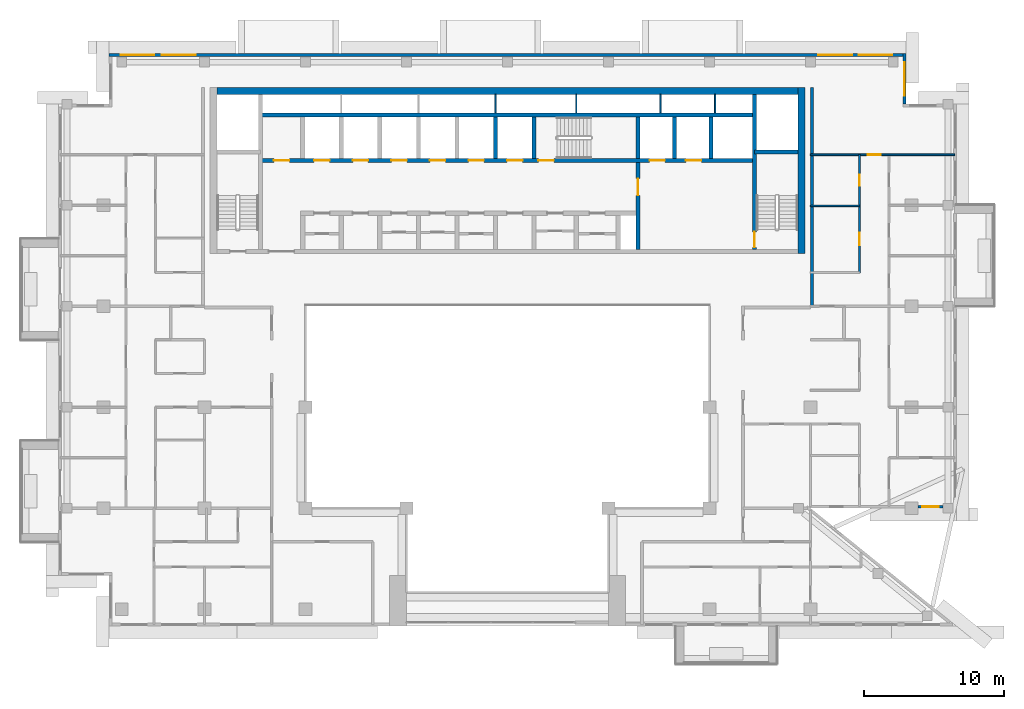
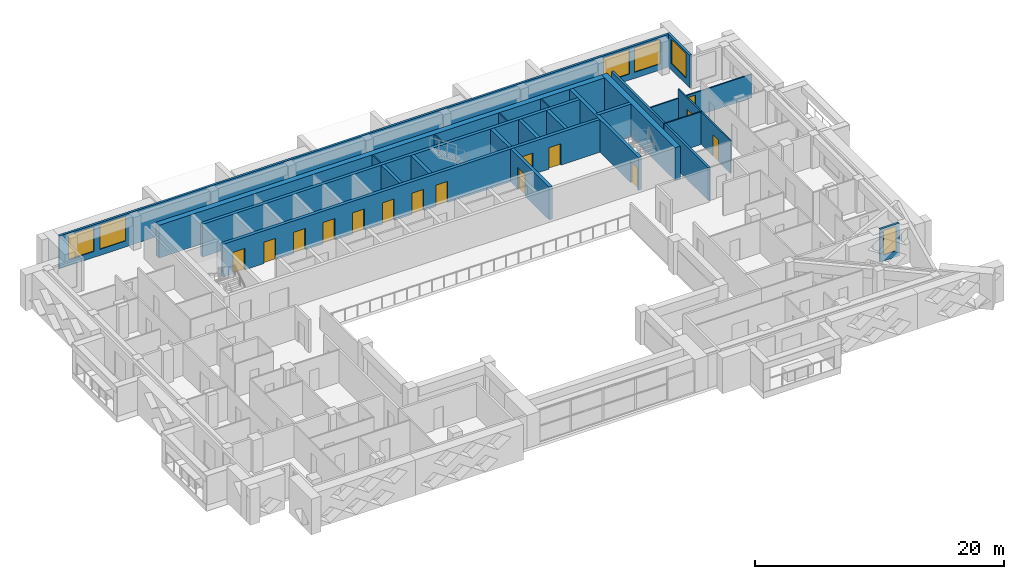
# One storey, part 11 of 19: 23 walls, 15 doors, 6 windows, 21 openings.
"""IFC4 building model written with IfcOpenShell, lengths in metres."""

from ifc_helpers import new_model, si_unit, direction, frame, frame_2d, origin, place, context, subcontext, project, spatial, rectangle, extrude, material, layer, layer_set, type_object, element, fill, save


model = new_model("IFC4")

# Units and contexts
model_context = context("Model", 3, precision=1e-05, world=origin(), true_north=direction((0.0, 1.0)))
body_context = subcontext(model_context, "Body", "Model", "MODEL_VIEW")
ifc_project = project(units=[si_unit("LENGTHUNIT", "METRE"), si_unit("AREAUNIT", "SQUARE_METRE"), si_unit("VOLUMEUNIT", "CUBIC_METRE"), si_unit("PLANEANGLEUNIT", "RADIAN"), si_unit("MASSUNIT", "GRAM", prefix="KILO")], contexts=[model_context])

# Site, building, storey
site_placement = place(None, origin())
site = spatial("IfcSite", under=ifc_project, at=site_placement, CompositionType="ELEMENT")
building_placement = place(site_placement, origin())
building = spatial("IfcBuilding", under=site, at=building_placement, Name="Saffron Iwan Residences", CompositionType="ELEMENT")
storey_placement = place(building_placement, frame((0.0, 0.0, 229.0)))
storey = spatial("IfcBuildingStorey", under=building, at=storey_placement, Name="L61", CompositionType="ELEMENT", Elevation=229.0)

# Wall, opening, window
ifc_material_1 = material(Name="Concrete C40/50", Category="concrete")
ifc_layer_1 = layer(ifc_material_1, 0.199951171875)
ifc_layer_set_1 = layer_set([ifc_layer_1], Name="Concrete C40/50")
wall_type_1 = type_object("IfcWallType", Name="EXTERNAL WALL 200", PredefinedType="SOLIDWALL", material=ifc_layer_set_1)
wall_1_placement = place(storey_placement, frame((79.64990234375, 48.10009765625, 0.0), z_axis=(0.0, 0.0, 1.0), x_axis=(1.0, 0.0, 0.0)))
wall_1 = element("IfcWall", 1, at=wall_1_placement, inside=storey, type_object=wall_type_1, Name="External wall L61 F1.1", PredefinedType="SOLIDWALL", context=body_context, shape_type="SweptSolid", body=[
    extrude(rectangle(XDim=1.800048828125, YDim=0.199951171875, at=frame_2d((0.89990234375, 0.0))), origin(), (0.0, 0.0, 1.0), 3.219970703125),
])
opening_1_placement = place(wall_1_placement, frame((0.300048828125, 0.0, 0.60009765625)))
opening_1 = element("IfcOpeningElement", 2, at=opening_1_placement, cuts=wall_1, Name="Opening W3", PredefinedType="OPENING", context=body_context, shape_type="SweptSolid", body=[
    extrude(rectangle(XDim=1.199951171875, YDim=2.39990234375, at=frame_2d((0.60009765625, 1.199951171875))), frame((0.0, 0.10986328125, 0.0), z_axis=(0.0, -1.0, 0.0), x_axis=(1.0, 0.0, 0.0)), (0.0, 0.0, 1.0), 0.219970703125),
])
ifc_material_2 = material(Name="Clear glass, laminated double glazed", Category="glass")
window_type_1 = type_object("IfcWindowType", Name="WINDOW 1200 x 2400", PartitioningType="SINGLE_PANEL", PredefinedType="WINDOW", material=ifc_material_2)
window_1_placement = place(opening_1_placement, origin())
window_1 = element("IfcWindow", 3, at=window_1_placement, inside=storey, type_object=window_type_1, Name="Window L61 F1.0", OverallHeight=2.39990234375, OverallWidth=1.199951171875, PartitioningType="SINGLE_PANEL", PredefinedType="WINDOW", context=body_context, shape_type="SweptSolid", body=[
    extrude(rectangle(XDim=1.199951171875, YDim=2.39990234375, at=frame_2d((0.60009765625, 1.199951171875))), frame((0.0, 0.030029296875, 0.0), z_axis=(0.0, -1.0, 0.0), x_axis=(1.0, 0.0, 0.0)), (0.0, 0.0, 1.0), 0.06005859375),
])
fill(opening_1, window_1)

wall_2_placement = place(storey_placement, frame((78.699951171875, 76.800048828125, 0.0), z_axis=(0.0, 0.0, 1.0), x_axis=(0.0, 1.0, 0.0)))
wall_2 = element("IfcWall", 4, at=wall_2_placement, inside=storey, type_object=wall_type_1, Name="External wall L61 F4.0", PredefinedType="SOLIDWALL", context=body_context, shape_type="SweptSolid", body=[
    extrude(rectangle(XDim=3.599853515625, YDim=0.199951171875, at=frame_2d((1.7998046875, 0.0))), origin(), (0.0, 0.0, 1.0), 3.219970703125),
])
opening_2_placement = place(wall_2_placement, frame((0.60009765625, 0.0, 0.60009765625)))
opening_2 = element("IfcOpeningElement", 5, at=opening_2_placement, cuts=wall_2, Name="Opening W1", PredefinedType="OPENING", context=body_context, shape_type="SweptSolid", body=[
    extrude(rectangle(XDim=2.39990234375, YDim=2.39990234375, at=frame_2d((1.199951171875, 1.199951171875))), frame((0.0, 0.10986328125, 0.0), z_axis=(0.0, -1.0, 0.0), x_axis=(1.0, 0.0, 0.0)), (0.0, 0.0, 1.0), 0.219970703125),
])
window_type_2 = type_object("IfcWindowType", Name="WINDOW 2400 x 2400", PartitioningType="DOUBLE_PANEL_VERTICAL", PredefinedType="WINDOW", material=ifc_material_2)
window_2_placement = place(opening_2_placement, origin())
window_2 = element("IfcWindow", 6, at=window_2_placement, inside=storey, type_object=window_type_2, Name="Window L61 F4.0", OverallHeight=2.39990234375, OverallWidth=2.39990234375, PartitioningType="DOUBLE_PANEL_VERTICAL", PredefinedType="WINDOW", context=body_context, shape_type="SweptSolid", body=[
    extrude(rectangle(XDim=2.39990234375, YDim=2.39990234375, at=frame_2d((1.199951171875, 1.199951171875))), frame((0.0, 0.030029296875, 0.0), z_axis=(0.0, -1.0, 0.0), x_axis=(1.0, 0.0, 0.0)), (0.0, 0.0, 1.0), 0.06005859375),
])
fill(opening_2, window_2)

# Wall, openings, windows
wall_3_placement = place(storey_placement, frame((78.60009765625, 80.300048828125, 0.0), z_axis=(0.0, 0.0, 1.0), x_axis=(-1.0, 0.0, 0.0)))
wall_3 = element("IfcWall", 7, at=wall_3_placement, inside=storey, type_object=wall_type_1, Name="External wall L61 F5.0", PredefinedType="SOLIDWALL", context=body_context, shape_type="SweptSolid", body=[
    extrude(rectangle(XDim=56.60009765625, YDim=0.199951171875, at=frame_2d((28.300048828125, 0.0))), origin(), (0.0, 0.0, 1.0), 3.219970703125),
])
opening_3_placement = place(wall_3_placement, frame((50.433349609375, 0.0, 0.60009765625)))
opening_3 = element("IfcOpeningElement", 8, at=opening_3_placement, cuts=wall_3, Name="Opening W1", PredefinedType="OPENING", context=body_context, shape_type="SweptSolid", body=[
    extrude(rectangle(XDim=2.39990234375, YDim=2.39990234375, at=frame_2d((1.199951171875, 1.199951171875))), frame((0.0, 0.10986328125, 0.0), z_axis=(0.0, -1.0, 0.0), x_axis=(1.0, 0.0, 0.0)), (0.0, 0.0, 1.0), 0.219970703125),
])
opening_4_placement = place(wall_3_placement, frame((53.36669921875, 0.0, 0.60009765625)))
opening_4 = element("IfcOpeningElement", 9, at=opening_4_placement, cuts=wall_3, Name="Opening W1", PredefinedType="OPENING", context=body_context, shape_type="SweptSolid", body=[
    extrude(rectangle(XDim=2.39990234375, YDim=2.39990234375, at=frame_2d((1.199951171875, 1.199951171875))), frame((0.0, 0.10986328125, 0.0), z_axis=(0.0, -1.0, 0.0), x_axis=(1.0, 0.0, 0.0)), (0.0, 0.0, 1.0), 0.219970703125),
])
opening_5_placement = place(wall_3_placement, frame((0.7666015625, 0.0, 0.60009765625)))
opening_5 = element("IfcOpeningElement", 10, at=opening_5_placement, cuts=wall_3, Name="Opening W1", PredefinedType="OPENING", context=body_context, shape_type="SweptSolid", body=[
    extrude(rectangle(XDim=2.39990234375, YDim=2.39990234375, at=frame_2d((1.199951171875, 1.199951171875))), frame((0.0, 0.10986328125, 0.0), z_axis=(0.0, -1.0, 0.0), x_axis=(1.0, 0.0, 0.0)), (0.0, 0.0, 1.0), 0.219970703125),
])
opening_6_placement = place(wall_3_placement, frame((3.63330078125, 0.0, 0.60009765625)))
opening_6 = element("IfcOpeningElement", 11, at=opening_6_placement, cuts=wall_3, Name="Opening W1", PredefinedType="OPENING", context=body_context, shape_type="SweptSolid", body=[
    extrude(rectangle(XDim=2.39990234375, YDim=2.39990234375, at=frame_2d((1.199951171875, 1.199951171875))), frame((0.0, 0.10986328125, 0.0), z_axis=(0.0, -1.0, 0.0), x_axis=(1.0, 0.0, 0.0)), (0.0, 0.0, 1.0), 0.219970703125),
])
window_3_placement = place(opening_3_placement, origin())
window_3 = element("IfcWindow", 12, at=window_3_placement, inside=storey, type_object=window_type_2, Name="Window L61 F5.0", OverallHeight=2.39990234375, OverallWidth=2.39990234375, PartitioningType="DOUBLE_PANEL_VERTICAL", PredefinedType="WINDOW", context=body_context, shape_type="SweptSolid", body=[
    extrude(rectangle(XDim=2.39990234375, YDim=2.39990234375, at=frame_2d((1.199951171875, 1.199951171875))), frame((0.0, 0.030029296875, 0.0), z_axis=(0.0, -1.0, 0.0), x_axis=(1.0, 0.0, 0.0)), (0.0, 0.0, 1.0), 0.06005859375),
])
fill(opening_3, window_3)
window_4_placement = place(opening_4_placement, origin())
window_4 = element("IfcWindow", 13, at=window_4_placement, inside=storey, type_object=window_type_2, Name="Window L61 F5.1", OverallHeight=2.39990234375, OverallWidth=2.39990234375, PartitioningType="DOUBLE_PANEL_VERTICAL", PredefinedType="WINDOW", context=body_context, shape_type="SweptSolid", body=[
    extrude(rectangle(XDim=2.39990234375, YDim=2.39990234375, at=frame_2d((1.199951171875, 1.199951171875))), frame((0.0, 0.030029296875, 0.0), z_axis=(0.0, -1.0, 0.0), x_axis=(1.0, 0.0, 0.0)), (0.0, 0.0, 1.0), 0.06005859375),
])
fill(opening_4, window_4)
window_5_placement = place(opening_5_placement, origin())
window_5 = element("IfcWindow", 14, at=window_5_placement, inside=storey, type_object=window_type_2, Name="Window L61 F5.2", OverallHeight=2.39990234375, OverallWidth=2.39990234375, PartitioningType="DOUBLE_PANEL_VERTICAL", PredefinedType="WINDOW", context=body_context, shape_type="SweptSolid", body=[
    extrude(rectangle(XDim=2.39990234375, YDim=2.39990234375, at=frame_2d((1.199951171875, 1.199951171875))), frame((0.0, 0.030029296875, 0.0), z_axis=(0.0, -1.0, 0.0), x_axis=(1.0, 0.0, 0.0)), (0.0, 0.0, 1.0), 0.06005859375),
])
fill(opening_5, window_5)
window_6_placement = place(opening_6_placement, origin())
window_6 = element("IfcWindow", 15, at=window_6_placement, inside=storey, type_object=window_type_2, Name="Window L61 F5.3", OverallHeight=2.39990234375, OverallWidth=2.39990234375, PartitioningType="DOUBLE_PANEL_VERTICAL", PredefinedType="WINDOW", context=body_context, shape_type="SweptSolid", body=[
    extrude(rectangle(XDim=2.39990234375, YDim=2.39990234375, at=frame_2d((1.199951171875, 1.199951171875))), frame((0.0, 0.030029296875, 0.0), z_axis=(0.0, -1.0, 0.0), x_axis=(1.0, 0.0, 0.0)), (0.0, 0.0, 1.0), 0.06005859375),
])
fill(opening_6, window_6)

# Wall
ifc_material_3 = material(Name="Gypsum board partition")
ifc_layer_2 = layer(ifc_material_3, 0.1201171875)
ifc_layer_set_2 = layer_set([ifc_layer_2], Name="Gypsum board partition")
wall_type_2 = type_object("IfcWallType", Name="Flat partition 120", PredefinedType="PARTITIONING", material=ifc_layer_set_2)
wall_4_placement = place(storey_placement, frame((72.0, 69.550048828125, 0.0), z_axis=(0.0, 0.0, 1.0), x_axis=(1.0, 0.0, 0.0)))
element("IfcWall", 16, at=wall_4_placement, inside=storey, type_object=wall_type_2, Name="W-L61-PART-h69.55-72", PredefinedType="PARTITIONING", context=body_context, shape_type="SweptSolid", body=[
    extrude(rectangle(XDim=3.5, YDim=0.1201171875, at=frame_2d((1.75, 0.0))), origin(), (0.0, 0.0, 1.0), 3.219970703125),
])

# Wall, opening, door
wall_5_placement = place(storey_placement, frame((72.0, 73.199951171875, 0.0), z_axis=(0.0, 0.0, 1.0), x_axis=(1.0, 0.0, 0.0)))
wall_5 = element("IfcWall", 17, at=wall_5_placement, inside=storey, type_object=wall_type_2, Name="W-L61-PART-h73.2-72", PredefinedType="PARTITIONING", context=body_context, shape_type="SweptSolid", body=[
    extrude(rectangle(XDim=10.27490234375, YDim=0.1201171875, at=frame_2d((5.137451171875, 0.0))), origin(), (0.0, 0.0, 1.0), 2.320068359375),
])
opening_7_placement = place(wall_5_placement, frame((4.10009765625, 0.0, 0.0)))
opening_7 = element("IfcOpeningElement", 18, at=opening_7_placement, cuts=wall_5, Name="Opening FD2", PredefinedType="OPENING", context=body_context, shape_type="SweptSolid", body=[
    extrude(rectangle(XDim=0.89990234375, YDim=2.10009765625, at=frame_2d((0.449951171875, 1.050048828125))), frame((0.0, 0.070068359375, 0.0), z_axis=(0.0, -1.0, 0.0), x_axis=(1.0, 0.0, 0.0)), (0.0, 0.0, 1.0), 0.14013671875),
])
ifc_material_4 = material(Name="Timber door", Category="wood")
door_type_1 = type_object("IfcDoorType", Name="Flat door 900", OperationType="NOTDEFINED", PredefinedType="DOOR", material=ifc_material_4)
door_1_placement = place(opening_7_placement, origin())
door_1 = element("IfcDoor", 19, at=door_1_placement, inside=storey, type_object=door_type_1, Name="Door L61-037", OperationType="SINGLE_SWING_LEFT", OverallHeight=2.10009765625, OverallWidth=0.89990234375, PredefinedType="DOOR", context=body_context, shape_type="SweptSolid", body=[
    extrude(rectangle(XDim=0.89990234375, YDim=2.10009765625, at=frame_2d((0.449951171875, 1.050048828125))), frame((0.0, 0.02490234375, 0.0), z_axis=(0.0, -1.0, 0.0), x_axis=(1.0, 0.0, 0.0)), (0.0, 0.0, 1.0), 0.050048828125),
])
fill(opening_7, door_1)

# Wall, openings, doors
wall_6_placement = place(storey_placement, frame((75.5, 64.800048828125, 0.0), z_axis=(0.0, 0.0, 1.0), x_axis=(0.0, 1.0, 0.0)))
wall_6 = element("IfcWall", 20, at=wall_6_placement, inside=storey, type_object=wall_type_2, Name="W-L61-PART-v75.5-64.8", PredefinedType="PARTITIONING", context=body_context, shape_type="SweptSolid", body=[
    extrude(rectangle(XDim=8.39990234375, YDim=0.1201171875, at=frame_2d((4.199951171875, 0.0))), origin(), (0.0, 0.0, 1.0), 3.219970703125),
])
opening_8_placement = place(wall_6_placement, frame((1.925048828125, 0.0, 0.0)))
opening_8 = element("IfcOpeningElement", 21, at=opening_8_placement, cuts=wall_6, Name="Opening FD2", PredefinedType="OPENING", context=body_context, shape_type="SweptSolid", body=[
    extrude(rectangle(XDim=0.89990234375, YDim=2.10009765625, at=frame_2d((0.449951171875, 1.050048828125))), frame((0.0, 0.070068359375, 0.0), z_axis=(0.0, -1.0, 0.0), x_axis=(1.0, 0.0, 0.0)), (0.0, 0.0, 1.0), 0.14013671875),
])
opening_9_placement = place(wall_6_placement, frame((6.175048828125, 0.0, 0.0)))
opening_9 = element("IfcOpeningElement", 22, at=opening_9_placement, cuts=wall_6, Name="Opening FD3", PredefinedType="OPENING", context=body_context, shape_type="SweptSolid", body=[
    extrude(rectangle(XDim=0.800048828125, YDim=2.10009765625, at=frame_2d((0.39990234375, 1.050048828125))), frame((0.0, 0.070068359375, 0.0), z_axis=(0.0, -1.0, 0.0), x_axis=(1.0, 0.0, 0.0)), (0.0, 0.0, 1.0), 0.14013671875),
])
door_type_2 = type_object("IfcDoorType", Name="Bathroom door 800", OperationType="NOTDEFINED", PredefinedType="DOOR", material=ifc_material_4)
door_2_placement = place(opening_9_placement, origin())
door_2 = element("IfcDoor", 23, at=door_2_placement, inside=storey, type_object=door_type_2, Name="Door L61-039", OperationType="SINGLE_SWING_RIGHT", OverallHeight=2.10009765625, OverallWidth=0.800048828125, PredefinedType="DOOR", context=body_context, shape_type="SweptSolid", body=[
    extrude(rectangle(XDim=0.800048828125, YDim=2.10009765625, at=frame_2d((0.39990234375, 1.050048828125))), frame((0.0, 0.02490234375, 0.0), z_axis=(0.0, -1.0, 0.0), x_axis=(1.0, 0.0, 0.0)), (0.0, 0.0, 1.0), 0.050048828125),
])
fill(opening_9, door_2)
door_3_placement = place(opening_8_placement, origin())
door_3 = element("IfcDoor", 24, at=door_3_placement, inside=storey, type_object=door_type_1, Name="Door L61-038", OperationType="SINGLE_SWING_LEFT", OverallHeight=2.10009765625, OverallWidth=0.89990234375, PredefinedType="DOOR", context=body_context, shape_type="SweptSolid", body=[
    extrude(rectangle(XDim=0.89990234375, YDim=2.10009765625, at=frame_2d((0.449951171875, 1.050048828125))), frame((0.0, 0.02490234375, 0.0), z_axis=(0.0, -1.0, 0.0), x_axis=(1.0, 0.0, 0.0)), (0.0, 0.0, 1.0), 0.050048828125),
])
fill(opening_8, door_3)

# Walls
ifc_material_5 = material(Name="Fire-rated gypsum board wall")
ifc_layer_3 = layer(ifc_material_5, 0.199951171875)
ifc_layer_set_3 = layer_set([ifc_layer_3], Name="Fire-rated gypsum board wall")
wall_type_3 = type_object("IfcWallType", Name="Gallery wall 200", PredefinedType="SOLIDWALL", material=ifc_layer_set_3)
wall_7_placement = place(storey_placement, frame((72.10009765625, 62.39990234375, 0.0), z_axis=(0.0, 0.0, 1.0), x_axis=(0.0, 1.0, 0.0)))
element("IfcWall", 25, at=wall_7_placement, inside=storey, type_object=wall_type_3, Name="W-L61-CORR-v72-62.4", PredefinedType="SOLIDWALL", context=body_context, shape_type="SweptSolid", body=[
    extrude(rectangle(XDim=15.60009765625, YDim=0.199951171875, at=frame_2d((7.800048828125, 0.0))), origin(), (0.0, 0.0, 1.0), 3.219970703125),
])
ifc_material_6 = material(Name="Fire-rated plasterboard partition")
ifc_layer_4 = layer(ifc_material_6, 0.10009765625)
ifc_layer_set_4 = layer_set([ifc_layer_4], Name="Fire-rated plasterboard partition")
wall_type_4 = type_object("IfcWallType", Name="Riser partition 100", PredefinedType="PARTITIONING", material=ifc_layer_set_4)
for number, where, z_axis, x_axis, name in (
    (26, (49.550048828125, 76.175048828125, 0.0), (0.0, 0.0, 1.0), (0.0, 1.0, 0.0), "Core partition P09"),
    (27, (55.300048828125, 76.175048828125, 0.0), (0.0, 0.0, 1.0), (0.0, 1.0, 0.0), "Core partition P10"),
    (28, (61.300048828125, 76.175048828125, 0.0), (0.0, 0.0, 1.0), (0.0, 1.0, 0.0), "Core partition P11"),
    (29, (65.199951171875, 76.175048828125, 0.0), (0.0, 0.0, 1.0), (0.0, 1.0, 0.0), "Core partition P12"),
):
    element("IfcWall", number, at=place(storey_placement, frame(where, z_axis=z_axis, x_axis=x_axis)), inside=storey, type_object=wall_type_4, Name=name, PredefinedType="PARTITIONING", context=body_context, shape_type="SweptSolid", body=[
        extrude(rectangle(XDim=1.324951171875, YDim=0.10009765625, at=frame_2d((0.66259765625, 0.0))), origin(), (0.0, 0.0, 1.0), 3.219970703125),
    ])

# Wall, openings, doors
ifc_layer_5 = layer(ifc_material_1, 0.300048828125)
ifc_layer_set_5 = layer_set([ifc_layer_5], Name="Concrete C40/50")
wall_type_5 = type_object("IfcWallType", Name="WALL CORE 300 C40/50 3220 HIGH", PredefinedType="SHEAR", material=ifc_layer_set_5)
wall_8_placement = place(storey_placement, frame((32.800048828125, 72.77490234375, 0.0), z_axis=(0.0, 0.0, 1.0), x_axis=(1.0, 0.0, 0.0)))
wall_8 = element("IfcWall", 30, at=wall_8_placement, inside=storey, type_object=wall_type_5, Name="Core wall", PredefinedType="SHEAR", context=body_context, shape_type="SweptSolid", body=[
    extrude(rectangle(XDim=35.199951171875, YDim=0.300048828125, at=frame_2d((17.60009765625, 0.0))), origin(), (0.0, 0.0, 1.0), 3.219970703125),
])
opening_10_placement = place(wall_8_placement, frame((19.800048828125, 0.0, 0.0)))
opening_10 = element("IfcOpeningElement", 31, at=opening_10_placement, cuts=wall_8, Name="Opening SD", PredefinedType="OPENING", context=body_context, shape_type="SweptSolid", body=[
    extrude(rectangle(XDim=1.10009765625, YDim=2.10009765625, at=frame_2d((0.550048828125, 1.050048828125))), frame((0.0, 0.16015625, 0.0), z_axis=(0.0, -1.0, 0.0), x_axis=(1.0, 0.0, 0.0)), (0.0, 0.0, 1.0), 0.320068359375),
])
opening_11_placement = place(wall_8_placement, frame((27.72509765625, 0.0, 0.0)))
opening_11 = element("IfcOpeningElement", 32, at=opening_11_placement, cuts=wall_8, Name="Opening LD", PredefinedType="OPENING", context=body_context, shape_type="SweptSolid", body=[
    extrude(rectangle(XDim=1.10009765625, YDim=2.10009765625, at=frame_2d((0.550048828125, 1.050048828125))), frame((0.0, 0.16015625, 0.0), z_axis=(0.0, -1.0, 0.0), x_axis=(1.0, 0.0, 0.0)), (0.0, 0.0, 1.0), 0.320068359375),
])
opening_12_placement = place(wall_8_placement, frame((30.324951171875, 0.0, 0.0)))
opening_12 = element("IfcOpeningElement", 33, at=opening_12_placement, cuts=wall_8, Name="Opening LD", PredefinedType="OPENING", context=body_context, shape_type="SweptSolid", body=[
    extrude(rectangle(XDim=1.10009765625, YDim=2.10009765625, at=frame_2d((0.550048828125, 1.050048828125))), frame((0.0, 0.16015625, 0.0), z_axis=(0.0, -1.0, 0.0), x_axis=(1.0, 0.0, 0.0)), (0.0, 0.0, 1.0), 0.320068359375),
])
opening_13_placement = place(wall_8_placement, frame((3.824951171875, 0.0, 0.0)))
opening_13 = element("IfcOpeningElement", 34, at=opening_13_placement, cuts=wall_8, Name="Opening LD", PredefinedType="OPENING", context=body_context, shape_type="SweptSolid", body=[
    extrude(rectangle(XDim=1.10009765625, YDim=2.10009765625, at=frame_2d((0.550048828125, 1.050048828125))), frame((0.0, 0.16015625, 0.0), z_axis=(0.0, -1.0, 0.0), x_axis=(1.0, 0.0, 0.0)), (0.0, 0.0, 1.0), 0.320068359375),
])
opening_14_placement = place(wall_8_placement, frame((6.574951171875, 0.0, 0.0)))
opening_14 = element("IfcOpeningElement", 35, at=opening_14_placement, cuts=wall_8, Name="Opening LD", PredefinedType="OPENING", context=body_context, shape_type="SweptSolid", body=[
    extrude(rectangle(XDim=1.10009765625, YDim=2.10009765625, at=frame_2d((0.550048828125, 1.050048828125))), frame((0.0, 0.16015625, 0.0), z_axis=(0.0, -1.0, 0.0), x_axis=(1.0, 0.0, 0.0)), (0.0, 0.0, 1.0), 0.320068359375),
])
opening_15_placement = place(wall_8_placement, frame((9.324951171875, 0.0, 0.0)))
opening_15 = element("IfcOpeningElement", 36, at=opening_15_placement, cuts=wall_8, Name="Opening LD", PredefinedType="OPENING", context=body_context, shape_type="SweptSolid", body=[
    extrude(rectangle(XDim=1.10009765625, YDim=2.10009765625, at=frame_2d((0.550048828125, 1.050048828125))), frame((0.0, 0.16015625, 0.0), z_axis=(0.0, -1.0, 0.0), x_axis=(1.0, 0.0, 0.0)), (0.0, 0.0, 1.0), 0.320068359375),
])
opening_16_placement = place(wall_8_placement, frame((12.074951171875, 0.0, 0.0)))
opening_16 = element("IfcOpeningElement", 37, at=opening_16_placement, cuts=wall_8, Name="Opening LD", PredefinedType="OPENING", context=body_context, shape_type="SweptSolid", body=[
    extrude(rectangle(XDim=1.10009765625, YDim=2.10009765625, at=frame_2d((0.550048828125, 1.050048828125))), frame((0.0, 0.16015625, 0.0), z_axis=(0.0, -1.0, 0.0), x_axis=(1.0, 0.0, 0.0)), (0.0, 0.0, 1.0), 0.320068359375),
])
opening_17_placement = place(wall_8_placement, frame((14.824951171875, 0.0, 0.0)))
opening_17 = element("IfcOpeningElement", 38, at=opening_17_placement, cuts=wall_8, Name="Opening LD", PredefinedType="OPENING", context=body_context, shape_type="SweptSolid", body=[
    extrude(rectangle(XDim=1.10009765625, YDim=2.10009765625, at=frame_2d((0.550048828125, 1.050048828125))), frame((0.0, 0.16015625, 0.0), z_axis=(0.0, -1.0, 0.0), x_axis=(1.0, 0.0, 0.0)), (0.0, 0.0, 1.0), 0.320068359375),
])
opening_18_placement = place(wall_8_placement, frame((17.574951171875, 0.0, 0.0)))
opening_18 = element("IfcOpeningElement", 39, at=opening_18_placement, cuts=wall_8, Name="Opening LD", PredefinedType="OPENING", context=body_context, shape_type="SweptSolid", body=[
    extrude(rectangle(XDim=1.10009765625, YDim=2.10009765625, at=frame_2d((0.550048828125, 1.050048828125))), frame((0.0, 0.16015625, 0.0), z_axis=(0.0, -1.0, 0.0), x_axis=(1.0, 0.0, 0.0)), (0.0, 0.0, 1.0), 0.320068359375),
])
opening_19_placement = place(wall_8_placement, frame((0.949951171875, 0.0, 0.0)))
opening_19 = element("IfcOpeningElement", 40, at=opening_19_placement, cuts=wall_8, Name="Opening SR", PredefinedType="OPENING", context=body_context, shape_type="SweptSolid", body=[
    extrude(rectangle(XDim=1.10009765625, YDim=2.10009765625, at=frame_2d((0.550048828125, 1.050048828125))), frame((0.0, 0.16015625, 0.0), z_axis=(0.0, -1.0, 0.0), x_axis=(1.0, 0.0, 0.0)), (0.0, 0.0, 1.0), 0.320068359375),
])
ifc_material_7 = material(Name="Steel fire door", Category="steel")
door_type_3 = type_object("IfcDoorType", Name="Lift landing door 1100", OperationType="SLIDING_TO_LEFT", PredefinedType="DOOR", material=ifc_material_7)
door_4_placement = place(opening_11_placement, origin())
door_4 = element("IfcDoor", 41, at=door_4_placement, inside=storey, type_object=door_type_3, Name="Landing doors FF1", OperationType="SLIDING_TO_LEFT", OverallHeight=2.10009765625, OverallWidth=1.10009765625, PredefinedType="DOOR", context=body_context, shape_type="SweptSolid", body=[
    extrude(rectangle(XDim=1.10009765625, YDim=2.10009765625, at=frame_2d((0.550048828125, 1.050048828125))), frame((0.0, 0.02490234375, 0.0), z_axis=(0.0, -1.0, 0.0), x_axis=(1.0, 0.0, 0.0)), (0.0, 0.0, 1.0), 0.050048828125),
])
fill(opening_11, door_4)
door_5_placement = place(opening_12_placement, origin())
door_5 = element("IfcDoor", 42, at=door_5_placement, inside=storey, type_object=door_type_3, Name="Landing doors FF2", OperationType="SLIDING_TO_LEFT", OverallHeight=2.10009765625, OverallWidth=1.10009765625, PredefinedType="DOOR", context=body_context, shape_type="SweptSolid", body=[
    extrude(rectangle(XDim=1.10009765625, YDim=2.10009765625, at=frame_2d((0.550048828125, 1.050048828125))), frame((0.0, 0.02490234375, 0.0), z_axis=(0.0, -1.0, 0.0), x_axis=(1.0, 0.0, 0.0)), (0.0, 0.0, 1.0), 0.050048828125),
])
fill(opening_12, door_5)
door_6_placement = place(opening_13_placement, origin())
door_6 = element("IfcDoor", 43, at=door_6_placement, inside=storey, type_object=door_type_3, Name="Landing doors HR1", OperationType="SLIDING_TO_LEFT", OverallHeight=2.10009765625, OverallWidth=1.10009765625, PredefinedType="DOOR", context=body_context, shape_type="SweptSolid", body=[
    extrude(rectangle(XDim=1.10009765625, YDim=2.10009765625, at=frame_2d((0.550048828125, 1.050048828125))), frame((0.0, 0.02490234375, 0.0), z_axis=(0.0, -1.0, 0.0), x_axis=(1.0, 0.0, 0.0)), (0.0, 0.0, 1.0), 0.050048828125),
])
fill(opening_13, door_6)
door_7_placement = place(opening_14_placement, origin())
door_7 = element("IfcDoor", 44, at=door_7_placement, inside=storey, type_object=door_type_3, Name="Landing doors HR2", OperationType="SLIDING_TO_LEFT", OverallHeight=2.10009765625, OverallWidth=1.10009765625, PredefinedType="DOOR", context=body_context, shape_type="SweptSolid", body=[
    extrude(rectangle(XDim=1.10009765625, YDim=2.10009765625, at=frame_2d((0.550048828125, 1.050048828125))), frame((0.0, 0.02490234375, 0.0), z_axis=(0.0, -1.0, 0.0), x_axis=(1.0, 0.0, 0.0)), (0.0, 0.0, 1.0), 0.050048828125),
])
fill(opening_14, door_7)
door_8_placement = place(opening_15_placement, origin())
door_8 = element("IfcDoor", 45, at=door_8_placement, inside=storey, type_object=door_type_3, Name="Landing doors HR3", OperationType="SLIDING_TO_LEFT", OverallHeight=2.10009765625, OverallWidth=1.10009765625, PredefinedType="DOOR", context=body_context, shape_type="SweptSolid", body=[
    extrude(rectangle(XDim=1.10009765625, YDim=2.10009765625, at=frame_2d((0.550048828125, 1.050048828125))), frame((0.0, 0.02490234375, 0.0), z_axis=(0.0, -1.0, 0.0), x_axis=(1.0, 0.0, 0.0)), (0.0, 0.0, 1.0), 0.050048828125),
])
fill(opening_15, door_8)
door_9_placement = place(opening_16_placement, origin())
door_9 = element("IfcDoor", 46, at=door_9_placement, inside=storey, type_object=door_type_3, Name="Landing doors HR4", OperationType="SLIDING_TO_LEFT", OverallHeight=2.10009765625, OverallWidth=1.10009765625, PredefinedType="DOOR", context=body_context, shape_type="SweptSolid", body=[
    extrude(rectangle(XDim=1.10009765625, YDim=2.10009765625, at=frame_2d((0.550048828125, 1.050048828125))), frame((0.0, 0.02490234375, 0.0), z_axis=(0.0, -1.0, 0.0), x_axis=(1.0, 0.0, 0.0)), (0.0, 0.0, 1.0), 0.050048828125),
])
fill(opening_16, door_9)
door_10_placement = place(opening_17_placement, origin())
door_10 = element("IfcDoor", 47, at=door_10_placement, inside=storey, type_object=door_type_3, Name="Landing doors HR5", OperationType="SLIDING_TO_LEFT", OverallHeight=2.10009765625, OverallWidth=1.10009765625, PredefinedType="DOOR", context=body_context, shape_type="SweptSolid", body=[
    extrude(rectangle(XDim=1.10009765625, YDim=2.10009765625, at=frame_2d((0.550048828125, 1.050048828125))), frame((0.0, 0.02490234375, 0.0), z_axis=(0.0, -1.0, 0.0), x_axis=(1.0, 0.0, 0.0)), (0.0, 0.0, 1.0), 0.050048828125),
])
fill(opening_17, door_10)
door_11_placement = place(opening_18_placement, origin())
door_11 = element("IfcDoor", 48, at=door_11_placement, inside=storey, type_object=door_type_3, Name="Landing doors HR6", OperationType="SLIDING_TO_LEFT", OverallHeight=2.10009765625, OverallWidth=1.10009765625, PredefinedType="DOOR", context=body_context, shape_type="SweptSolid", body=[
    extrude(rectangle(XDim=1.10009765625, YDim=2.10009765625, at=frame_2d((0.550048828125, 1.050048828125))), frame((0.0, 0.02490234375, 0.0), z_axis=(0.0, -1.0, 0.0), x_axis=(1.0, 0.0, 0.0)), (0.0, 0.0, 1.0), 0.050048828125),
])
fill(opening_18, door_11)
door_type_4 = type_object("IfcDoorType", Name="Service door 1100", OperationType="NOTDEFINED", PredefinedType="DOOR", material=ifc_material_7)
door_12_placement = place(opening_19_placement, origin())
door_12 = element("IfcDoor", 49, at=door_12_placement, inside=storey, type_object=door_type_4, Name="Door Caretaker's room", OperationType="SINGLE_SWING_LEFT", OverallHeight=2.10009765625, OverallWidth=1.10009765625, PredefinedType="DOOR", context=body_context, shape_type="SweptSolid", body=[
    extrude(rectangle(XDim=1.10009765625, YDim=2.10009765625, at=frame_2d((0.550048828125, 1.050048828125))), frame((0.0, 0.02490234375, 0.0), z_axis=(0.0, -1.0, 0.0), x_axis=(1.0, 0.0, 0.0)), (0.0, 0.0, 1.0), 0.050048828125),
])
fill(opening_19, door_12)
door_type_5 = type_object("IfcDoorType", Name="Stair door 1100", OperationType="NOTDEFINED", PredefinedType="DOOR", material=ifc_material_7)
door_13_placement = place(opening_10_placement, origin())
door_13 = element("IfcDoor", 50, at=door_13_placement, inside=storey, type_object=door_type_5, Name="Stair door ST-C", OperationType="SINGLE_SWING_LEFT", OverallHeight=2.10009765625, OverallWidth=1.10009765625, PredefinedType="DOOR", context=body_context, shape_type="SweptSolid", body=[
    extrude(rectangle(XDim=1.10009765625, YDim=2.10009765625, at=frame_2d((0.550048828125, 1.050048828125))), frame((0.0, 0.02490234375, 0.0), z_axis=(0.0, -1.0, 0.0), x_axis=(1.0, 0.0, 0.0)), (0.0, 0.0, 1.0), 0.050048828125),
])
fill(opening_10, door_13)

# Walls
wall_9_placement = place(storey_placement, frame((32.800048828125, 76.02490234375, 0.0), z_axis=(0.0, 0.0, 1.0), x_axis=(1.0, 0.0, 0.0)))
element("IfcWall", 51, at=wall_9_placement, inside=storey, type_object=wall_type_5, Name="Core wall", PredefinedType="SHEAR", context=body_context, shape_type="SweptSolid", body=[
    extrude(rectangle(XDim=35.199951171875, YDim=0.300048828125, at=frame_2d((17.60009765625, 0.0))), origin(), (0.0, 0.0, 1.0), 3.219970703125),
])
wall_10_placement = place(storey_placement, frame((68.0, 73.39990234375, 0.0), z_axis=(0.0, 0.0, 1.0), x_axis=(1.0, 0.0, 0.0)))
element("IfcWall", 52, at=wall_10_placement, inside=storey, type_object=wall_type_5, Name="Core wall", PredefinedType="SHEAR", context=body_context, shape_type="SweptSolid", body=[
    extrude(rectangle(XDim=3.10009765625, YDim=0.300048828125, at=frame_2d((1.550048828125, 0.0))), origin(), (0.0, 0.0, 1.0), 3.219970703125),
])

# Wall, opening, door
wall_11_placement = place(storey_placement, frame((68.0, 66.449951171875, 0.0), z_axis=(0.0, 0.0, 1.0), x_axis=(0.0, 1.0, 0.0)))
wall_11 = element("IfcWall", 53, at=wall_11_placement, inside=storey, type_object=wall_type_5, Name="Core wall", PredefinedType="SHEAR", context=body_context, shape_type="SweptSolid", body=[
    extrude(rectangle(XDim=11.050048828125, YDim=0.300048828125, at=frame_2d((5.52490234375, 0.0))), origin(), (0.0, 0.0, 1.0), 3.219970703125),
])
opening_20_placement = place(wall_11_placement, frame((0.14990234375, 0.0, 0.0)))
opening_20 = element("IfcOpeningElement", 54, at=opening_20_placement, cuts=wall_11, Name="Opening SD", PredefinedType="OPENING", context=body_context, shape_type="SweptSolid", body=[
    extrude(rectangle(XDim=1.10009765625, YDim=2.10009765625, at=frame_2d((0.550048828125, 1.050048828125))), frame((0.0, 0.16015625, 0.0), z_axis=(0.0, -1.0, 0.0), x_axis=(1.0, 0.0, 0.0)), (0.0, 0.0, 1.0), 0.320068359375),
])
door_14_placement = place(opening_20_placement, origin())
door_14 = element("IfcDoor", 55, at=door_14_placement, inside=storey, type_object=door_type_5, Name="Stair door ST-E", OperationType="SINGLE_SWING_RIGHT", OverallHeight=2.10009765625, OverallWidth=1.10009765625, PredefinedType="DOOR", context=body_context, shape_type="SweptSolid", body=[
    extrude(rectangle(XDim=1.10009765625, YDim=2.10009765625, at=frame_2d((0.550048828125, 1.050048828125))), frame((0.0, 0.02490234375, 0.0), z_axis=(0.0, -1.0, 0.0), x_axis=(1.0, 0.0, 0.0)), (0.0, 0.0, 1.0), 0.050048828125),
])
fill(opening_20, door_14)

wall_12_placement = place(storey_placement, frame((59.699951171875, 66.449951171875, 0.0), z_axis=(0.0, 0.0, 1.0), x_axis=(0.0, 1.0, 0.0)))
wall_12 = element("IfcWall", 56, at=wall_12_placement, inside=storey, type_object=wall_type_5, Name="Core wall", PredefinedType="SHEAR", context=body_context, shape_type="SweptSolid", body=[
    extrude(rectangle(XDim=6.175048828125, YDim=0.300048828125, at=frame_2d((3.08740234375, 0.0))), origin(), (0.0, 0.0, 1.0), 3.219970703125),
])
opening_21_placement = place(wall_12_placement, frame((3.85009765625, 0.0, 0.0)))
opening_21 = element("IfcOpeningElement", 57, at=opening_21_placement, cuts=wall_12, Name="Opening FD", PredefinedType="OPENING", context=body_context, shape_type="SweptSolid", body=[
    extrude(rectangle(XDim=1.199951171875, YDim=2.10009765625, at=frame_2d((0.60009765625, 1.050048828125))), frame((0.0, 0.16015625, 0.0), z_axis=(0.0, -1.0, 0.0), x_axis=(1.0, 0.0, 0.0)), (0.0, 0.0, 1.0), 0.320068359375),
])
door_type_6 = type_object("IfcDoorType", Name="Firefighting lobby door 1200", OperationType="NOTDEFINED", PredefinedType="DOOR", material=ifc_material_7)
door_15_placement = place(opening_21_placement, origin())
door_15 = element("IfcDoor", 58, at=door_15_placement, inside=storey, type_object=door_type_6, Name="Firefighting lobby door", OperationType="SINGLE_SWING_LEFT", OverallHeight=2.10009765625, OverallWidth=1.199951171875, PredefinedType="DOOR", context=body_context, shape_type="SweptSolid", body=[
    extrude(rectangle(XDim=1.199951171875, YDim=2.10009765625, at=frame_2d((0.60009765625, 1.050048828125))), frame((0.0, 0.02490234375, 0.0), z_axis=(0.0, -1.0, 0.0), x_axis=(1.0, 0.0, 0.0)), (0.0, 0.0, 1.0), 0.050048828125),
])
fill(opening_21, door_15)

# Walls
for number, where, z_axis, x_axis, name in (
    (59, (59.699951171875, 72.925048828125, 0.0), (0.0, 0.0, 1.0), (0.0, 1.0, 0.0), "Core wall"),
    (60, (49.550048828125, 72.925048828125, 0.0), (0.0, 0.0, 1.0), (0.0, 1.0, 0.0), "Core wall"),
    (61, (52.300048828125, 72.925048828125, 0.0), (0.0, 0.0, 1.0), (0.0, 1.0, 0.0), "Core wall"),
    (62, (62.300048828125, 72.925048828125, 0.0), (0.0, 0.0, 1.0), (0.0, 1.0, 0.0), "Core wall"),
    (63, (64.89990234375, 72.925048828125, 0.0), (0.0, 0.0, 1.0), (0.0, 1.0, 0.0), "Core wall"),
):
    element("IfcWall", number, at=place(storey_placement, frame(where, z_axis=z_axis, x_axis=x_axis)), inside=storey, type_object=wall_type_5, Name=name, PredefinedType="SHEAR", context=body_context, shape_type="SweptSolid", body=[
        extrude(rectangle(XDim=2.949951171875, YDim=0.300048828125, at=frame_2d((1.47509765625, 0.0))), origin(), (0.0, 0.0, 1.0), 3.219970703125),
    ])
ifc_layer_6 = layer(ifc_material_1, 0.5)
ifc_layer_set_6 = layer_set([ifc_layer_6], Name="Concrete C40/50")
wall_type_6 = type_object("IfcWallType", Name="WALL CORE 500 C40/50 3220 HIGH", PredefinedType="SHEAR", material=ifc_layer_set_6)
wall_13_placement = place(storey_placement, frame((71.35009765625, 66.14990234375, 0.0), z_axis=(0.0, 0.0, 1.0), x_axis=(0.0, 1.0, 0.0)))
element("IfcWall", 64, at=wall_13_placement, inside=storey, type_object=wall_type_6, Name="Core wall", PredefinedType="SHEAR", context=body_context, shape_type="SweptSolid", body=[
    extrude(rectangle(XDim=11.85009765625, YDim=0.5, at=frame_2d((5.925048828125, 0.0))), origin(), (0.0, 0.0, 1.0), 3.219970703125),
])
wall_14_placement = place(storey_placement, frame((29.699951171875, 77.75, 0.0), z_axis=(0.0, 0.0, 1.0), x_axis=(1.0, 0.0, 0.0)))
element("IfcWall", 65, at=wall_14_placement, inside=storey, type_object=wall_type_6, Name="Core wall", PredefinedType="SHEAR", context=body_context, shape_type="SweptSolid", body=[
    extrude(rectangle(XDim=41.400146484375, YDim=0.5, at=frame_2d((20.7001953125, 0.0))), origin(), (0.0, 0.0, 1.0), 3.219970703125),
])

save(model, "model.ifc")
